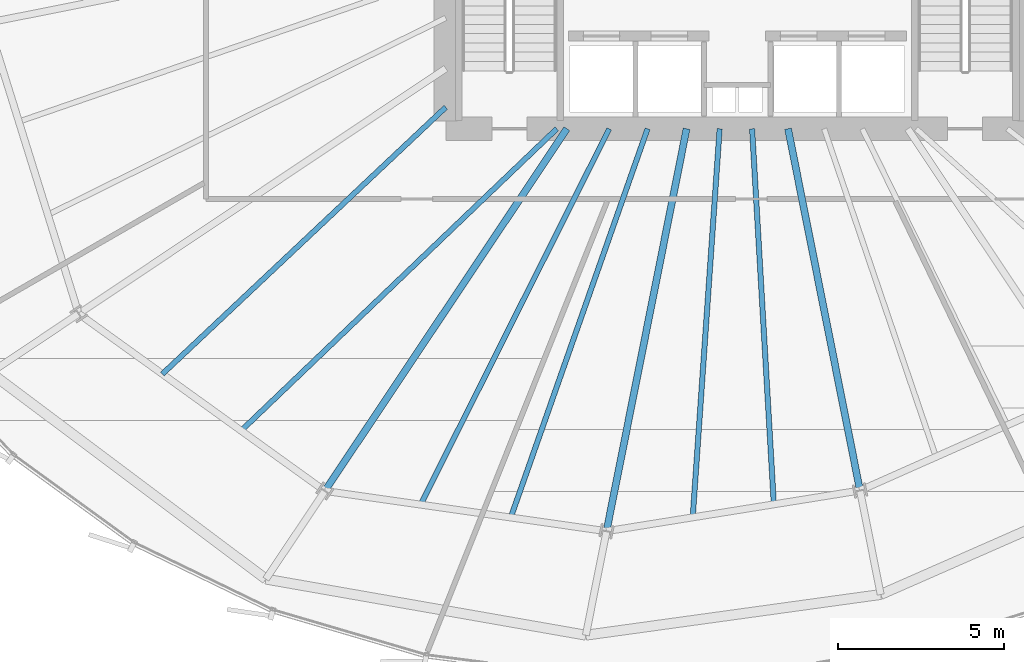
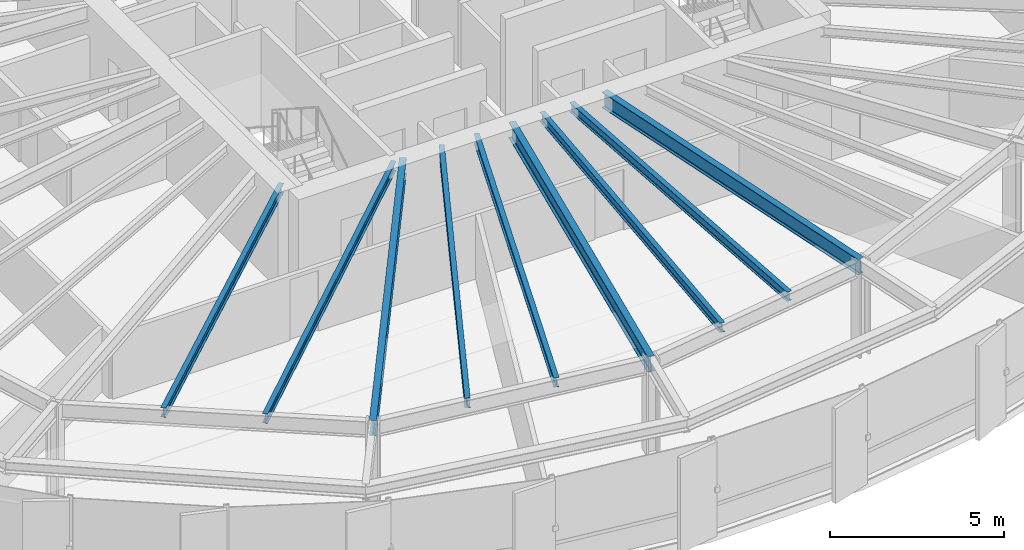
# One storey, part 7 of 35: 9 beams.
"""IFC4 building model written with IfcOpenShell, lengths in metres."""

import ifcopenshell
import ifcopenshell.guid

model = None  # the IFC model being written
_history = None  # IfcOwnerHistory: only IFC2X3 demands one
_inside = {}  # id of a spatial element -> (the spatial element, [elements in it])
_under = {}  # id of a project, library or spatial element -> (it, [spatial elements below it])
_declared = {}  # id of a project -> (the project, [libraries it declares])
_typed = {}  # id of a type object -> (the type object, [elements of that type])
_made_of = {}  # id of a material, layer set ... -> (it, [elements and type objects made of it])


def new_model(schema):
    """Start an empty IFC model of exactly this schema.

    Asked for "IFC4X3", IfcOpenShell would pick the latest addendum, in which some entities
    have other attributes; the version numbers below select the first issue.
    IFC2X3 requires an IfcOwnerHistory on every rooted entity: one is made here for all.
    """
    global model, _history
    if schema == "IFC4X3":
        model = ifcopenshell.file(schema_version=(4, 3, 0, 0))
    else:
        model = ifcopenshell.file(schema=schema)
    _inside.clear()
    _under.clear()
    _declared.clear()
    _typed.clear()
    _made_of.clear()
    _history = None
    if model.schema == "IFC2X3":
        org = make("IfcOrganization", Name="unknown")
        user = make(
            "IfcPersonAndOrganization",
            ThePerson=make("IfcPerson", FamilyName="unknown"),
            TheOrganization=org,
        )
        app = make(
            "IfcApplication",
            ApplicationDeveloper=org,
            Version="unknown",
            ApplicationFullName="unknown",
            ApplicationIdentifier="unknown",
        )
        _history = make(
            "IfcOwnerHistory",
            OwningUser=user,
            OwningApplication=app,
            ChangeAction="ADDED",
            CreationDate=0,
        )
    return model


def make(cls, **values):
    """One entity of the class cls with the attributes given. An attribute that is None is left unset."""
    return model.create_entity(
        cls, **{name: value for name, value in values.items() if value is not None}
    )


def rooted(cls, **values):
    """An entity with a GlobalId (a new one), such as an element, a storey or a relation."""
    return make(cls, GlobalId=ifcopenshell.guid.new(), OwnerHistory=_history, **values)


def si_unit(unit_type, name, prefix=None):
    """IfcSIUnit, for example si_unit("LENGTHUNIT", "METRE", prefix="MILLI")."""
    return make("IfcSIUnit", UnitType=unit_type, Prefix=prefix, Name=name)


def assignment(units):
    """IfcUnitAssignment: the units of a project."""
    return None if units is None else make("IfcUnitAssignment", Units=units)


def point(xyz):
    """IfcCartesianPoint."""
    return None if xyz is None else make("IfcCartesianPoint", Coordinates=xyz)


def direction(xyz):
    """IfcDirection."""
    return None if xyz is None else make("IfcDirection", DirectionRatios=xyz)


def frame(location, z_axis=None, x_axis=None):
    """IfcAxis2Placement3D, a coordinate frame: its origin and axes. An axis left out is left unset."""
    return make(
        "IfcAxis2Placement3D",
        Location=point(location),
        Axis=direction(z_axis),
        RefDirection=direction(x_axis),
    )


def frame_2d(location, x_axis=None):
    """IfcAxis2Placement2D, a coordinate frame in the plane: its origin and x axis."""
    return make(
        "IfcAxis2Placement2D", Location=point(location), RefDirection=direction(x_axis)
    )


def origin():
    """The frame at (0, 0, 0) with its axes left unset."""
    return frame((0.0, 0.0, 0.0))


def origin_2d():
    """The frame at (0, 0) in the plane with its x axis left unset."""
    return frame_2d((0.0, 0.0))


def place(relative_to, where):
    """IfcLocalPlacement: puts the frame where relative to a parent placement (None: the world)."""
    return make(
        "IfcLocalPlacement", PlacementRelTo=relative_to, RelativePlacement=where
    )


def context(
    kind, dimensions, precision=None, world=None, true_north=None, identifier=None
):
    """IfcGeometricRepresentationContext, for example the 3D "Model" context."""
    return make(
        "IfcGeometricRepresentationContext",
        ContextIdentifier=identifier,
        ContextType=kind,
        CoordinateSpaceDimension=dimensions,
        Precision=precision,
        WorldCoordinateSystem=world,
        TrueNorth=true_north,
    )


def subcontext(parent, identifier, kind, view, scale=None):
    """IfcGeometricRepresentationSubContext, for example "Body" below "Model"."""
    return make(
        "IfcGeometricRepresentationSubContext",
        ContextIdentifier=identifier,
        ContextType=kind,
        ParentContext=parent,
        TargetScale=scale,
        TargetView=view,
    )


def project(units=None, contexts=None):
    """IfcProject with its units and contexts."""
    return rooted(
        "IfcProject",
        Name="project",
        RepresentationContexts=contexts,
        UnitsInContext=assignment(units),
    )


def spatial(cls, under=None, at=None, **own):
    """A site, building, storey or space (cls), placed at a placement, below another one or the project."""
    s = rooted(cls, ObjectPlacement=at, **own)
    if under is not None:
        _under.setdefault(under.id(), (under, []))[1].append(s)
    return s


def profile(cls, at=None, kind="AREA", **sizes):
    """A parametric profile (cls). Its sizes go by their IFC names, for example OverallWidth=200.0."""
    return make(cls, ProfileType=kind, Position=at, **sizes)


def i_section(**sizes):
    """IfcIShapeProfileDef."""
    return profile("IfcIShapeProfileDef", **sizes)


def extrude(swept, where, along, depth):
    """IfcExtrudedAreaSolid: the profile swept, set in the frame where, extruded along a direction by depth."""
    return make(
        "IfcExtrudedAreaSolid",
        SweptArea=swept,
        Position=where,
        ExtrudedDirection=direction(along),
        Depth=depth,
    )


def shape(context_of_items, identifier, shape_type, items):
    """IfcShapeRepresentation: the items that make up one representation, for example the "Body"."""
    return make(
        "IfcShapeRepresentation",
        ContextOfItems=context_of_items,
        RepresentationIdentifier=identifier,
        RepresentationType=shape_type,
        Items=items,
    )


def source(mapping_origin, context_of_items, identifier, shape_type, items):
    """IfcRepresentationMap: a shape defined once, which mapped items show again and again."""
    return make(
        "IfcRepresentationMap",
        MappingOrigin=mapping_origin,
        MappedRepresentation=shape(context_of_items, identifier, shape_type, items),
    )


def transform(
    local_origin,
    x_axis=None,
    y_axis=None,
    z_axis=None,
    scale=None,
    scale2=None,
    scale3=None,
    uniform=True,
):
    """IfcCartesianTransformationOperator3D, or its non-uniform kind. x_axis, y_axis, z_axis: its Axis1, 2, 3."""
    if uniform:
        return make(
            "IfcCartesianTransformationOperator3D",
            Axis1=direction(x_axis),
            Axis2=direction(y_axis),
            LocalOrigin=point(local_origin),
            Scale=scale,
            Axis3=direction(z_axis),
        )
    return make(
        "IfcCartesianTransformationOperator3DnonUniform",
        Axis1=direction(x_axis),
        Axis2=direction(y_axis),
        LocalOrigin=point(local_origin),
        Scale=scale,
        Axis3=direction(z_axis),
        Scale2=scale2,
        Scale3=scale3,
    )


def mapped(mapping_source, mapping_target):
    """IfcMappedItem: shows the shape of a source again, moved by a transform."""
    return make(
        "IfcMappedItem", MappingSource=mapping_source, MappingTarget=mapping_target
    )


def material(Name=None, Category=None):
    """IfcMaterial."""
    return make("IfcMaterial", Name=Name, Category=Category)


def material_profile(
    of_material, cross_section, Name=None, Category=None, Priority=None
):
    """IfcMaterialProfile: a cross section and its material."""
    return make(
        "IfcMaterialProfile",
        Name=Name,
        Material=of_material,
        Profile=cross_section,
        Priority=Priority,
        Category=Category,
    )


def profile_set(profiles, Name=None, composite=None):
    """IfcMaterialProfileSet."""
    return make(
        "IfcMaterialProfileSet",
        Name=Name,
        MaterialProfiles=profiles,
        CompositeProfile=composite,
    )


def made_of(thing, what):
    """Note that an element or type object is made of a material, layer set ...; save() writes the relation."""
    if what is not None:
        _made_of.setdefault(what.id(), (what, []))[1].append(thing)
    return thing


def type_object(cls, material=None, **own):
    """A type object (cls), such as IfcWallType, which elements share."""
    return made_of(rooted(cls, **own), material)


def element(
    cls,
    number,
    at=None,
    inside=None,
    cuts=None,
    type_object=None,
    material=None,
    context=None,
    identifier="Body",
    shape_type=None,
    held_by="IfcProductDefinitionShape",
    body=None,
    shapes=None,
    **own,
):
    """One element of the class cls, such as IfcWall. Its Tag is "e" and its number.

    at: its placement. inside: the storey or other place that contains it. cuts: it is an
    opening in that element (IfcRelVoidsElement). A single representation is given by context,
    identifier, shape_type and body (its items); several are given by shapes. held_by: the class
    of the entity that holds the representations. save() writes the other relations.
    """
    e = rooted(cls, Tag="e%d" % number, ObjectPlacement=at, **own)
    if body is not None:
        shapes = [shape(context, identifier, shape_type, body)]
    if shapes is not None:
        e.Representation = make(held_by, Representations=shapes)
    if inside is not None:
        _inside.setdefault(inside.id(), (inside, []))[1].append(e)
    if cuts is not None:
        rooted(
            "IfcRelVoidsElement", RelatingBuildingElement=cuts, RelatedOpeningElement=e
        )
    if type_object is not None:
        _typed.setdefault(type_object.id(), (type_object, []))[1].append(e)
    return made_of(e, material)


def aggregate(whole, parts):
    """IfcRelAggregates: a whole, such as a stair, and the parts it consists of."""
    return rooted("IfcRelAggregates", RelatingObject=whole, RelatedObjects=parts)


def save(model, path):
    """Write the relations noted so far, then the file.

    IfcRelAggregates (storeys below a building ...), IfcRelContainedInSpatialStructure (elements
    in a storey), IfcRelDefinesByType, IfcRelAssociatesMaterial and IfcRelDeclares: one each for
    every whole, place, type object, material and project.
    """
    for whole, parts in _under.values():
        aggregate(whole, parts)
    for where, things in _inside.values():
        rooted(
            "IfcRelContainedInSpatialStructure",
            RelatedElements=things,
            RelatingStructure=where,
        )
    for kind, things in _typed.values():
        rooted("IfcRelDefinesByType", RelatedObjects=things, RelatingType=kind)
    for what, things in _made_of.values():
        rooted("IfcRelAssociatesMaterial", RelatedObjects=things, RelatingMaterial=what)
    for by, libraries in _declared.values():
        rooted("IfcRelDeclares", RelatingContext=by, RelatedDefinitions=libraries)
    model.write(path)


model = new_model("IFC4")

# Units and contexts
model_context = context("Model", 3, precision=1e-05, world=origin(), true_north=direction((0.0, 1.0)))
body_context = subcontext(model_context, "Body", "Model", "MODEL_VIEW")
ifc_project = project(units=[si_unit("LENGTHUNIT", "METRE"), si_unit("AREAUNIT", "SQUARE_METRE"), si_unit("VOLUMEUNIT", "CUBIC_METRE"), si_unit("PLANEANGLEUNIT", "RADIAN"), si_unit("MASSUNIT", "GRAM", prefix="KILO"), si_unit("THERMODYNAMICTEMPERATUREUNIT", "KELVIN")], contexts=[model_context])

# Site, building, storey
site_placement = place(None, origin())
site = spatial("IfcSite", under=ifc_project, at=site_placement, CompositionType="ELEMENT")
building_placement = place(site_placement, origin())
building = spatial("IfcBuilding", under=site, at=building_placement, Name="Kethvar Cultural Tower", CompositionType="ELEMENT")
storey_placement = place(building_placement, frame((0.0, 0.0, 89.199951171875)))
storey = spatial("IfcBuildingStorey", under=building, at=storey_placement, Name="L21", CompositionType="ELEMENT", Elevation=89.199951171875)

# Beams
ifc_material = material(Name="Steel S355J2", Category="steel")
ifc_material_profile_1 = material_profile(ifc_material, i_section(OverallWidth=0.2099609375, OverallDepth=0.550048828125, WebThickness=0.010986328125, FlangeThickness=0.01708984375, FilletRadius=0.02392578125, at=origin_2d()), Name="Steel S355J2 — IPE550")
ifc_profile_set_1 = profile_set([ifc_material_profile_1], Name="Steel S355J2 — IPE550")
beam_type_1 = type_object("IfcBeamType", Name="BM-IPE550", PredefinedType="BEAM", material=ifc_profile_set_1)
shared_shape_1 = source(origin(), body_context, "Body", "SweptSolid", [
    extrude(i_section(OverallWidth=0.2099609375, OverallDepth=0.550048828125, WebThickness=0.010986328125, FlangeThickness=0.01708984375, FilletRadius=0.02392578125, at=origin_2d()), origin(), (0.0, 0.0, 1.0), 13.147216796875),
])
beam_1_placement = place(storey_placement, frame((41.655029296875, 20.10009765625, 3.072998046875), z_axis=(-0.555565525446, -0.831472757783, 0.0), x_axis=(0.831472757783, -0.555565525446, 0.0)))
element("IfcBeam", 1, at=beam_1_placement, inside=storey, type_object=beam_type_1, Name="L21 Primary Radial Beam RB-11", PredefinedType="BEAM", context=body_context, shape_type="MappedRepresentation", body=[
    mapped(shared_shape_1, transform((0.0, 0.0, 0.0), scale=1.0)),
])
shared_shape_2 = source(origin(), body_context, "Body", "SweptSolid", [
    extrude(i_section(OverallWidth=0.2099609375, OverallDepth=0.550048828125, WebThickness=0.010986328125, FlangeThickness=0.01708984375, FilletRadius=0.02392578125, at=origin_2d()), origin(), (0.0, 0.0, 1.0), 12.384521484375),
])
beam_2_placement = place(storey_placement, frame((45.268310546875, 20.10009765625, 3.072998046875), z_axis=(-0.195084858678, -0.980786367113, 0.0), x_axis=(0.980786367113, -0.195084858678, 0.0)))
element("IfcBeam", 2, at=beam_2_placement, inside=storey, type_object=beam_type_1, Name="L21 Primary Radial Beam RB-12", PredefinedType="BEAM", context=body_context, shape_type="MappedRepresentation", body=[
    mapped(shared_shape_2, transform((0.0, 0.0, 0.0), scale=1.0)),
])
shared_shape_3 = source(origin(), body_context, "Body", "SweptSolid", [
    extrude(i_section(OverallWidth=0.2099609375, OverallDepth=0.550048828125, WebThickness=0.010986328125, FlangeThickness=0.01708984375, FilletRadius=0.02392578125, at=origin_2d()), origin(), (0.0, 0.0, 1.0), 11.131591796875),
])
beam_3_placement = place(storey_placement, frame((48.33154296875, 20.10009765625, 3.072998046875), z_axis=(0.195107998266, -0.980781764213, 0.0), x_axis=(0.980781764213, 0.195107998266, 0.0)))
element("IfcBeam", 3, at=beam_3_placement, inside=storey, type_object=beam_type_1, Name="L21 Primary Radial Beam RB-13", PredefinedType="BEAM", context=body_context, shape_type="MappedRepresentation", body=[
    mapped(shared_shape_3, transform((0.0, 0.0, 0.0), scale=1.0)),
])
ifc_material_profile_2 = material_profile(ifc_material, i_section(OverallWidth=0.159912109375, OverallDepth=0.330078125, WebThickness=0.007568359375, FlangeThickness=0.011474609375, FilletRadius=0.01806640625, at=origin_2d()), Name="Steel S355J2 — IPE330")
ifc_profile_set_2 = profile_set([ifc_material_profile_2], Name="Steel S355J2 — IPE330")
beam_type_2 = type_object("IfcBeamType", Name="BM-J330", PredefinedType="JOIST", material=ifc_profile_set_2)
shared_shape_4 = source(origin(), body_context, "Body", "SweptSolid", [
    extrude(i_section(OverallWidth=0.159912109375, OverallDepth=0.330078125, WebThickness=0.007568359375, FlangeThickness=0.011474609375, FilletRadius=0.01806640625, at=origin_2d()), origin(), (0.0, 0.0, 1.0), 11.74658203125),
])
beam_4_placement = place(storey_placement, frame((38.0, 20.75, 3.18310546875), z_axis=(-0.728129818661, -0.685439251266, 0.0), x_axis=(0.685439251266, -0.728129818661, 0.0)))
element("IfcBeam", 4, at=beam_4_placement, inside=storey, type_object=beam_type_2, Name="L21 Composite Floor Joist J-10A", PredefinedType="JOIST", context=body_context, shape_type="MappedRepresentation", body=[
    mapped(shared_shape_4, transform((0.0, 0.0, 0.0), scale=1.0)),
])
shared_shape_5 = source(origin(), body_context, "Body", "SweptSolid", [
    extrude(i_section(OverallWidth=0.159912109375, OverallDepth=0.330078125, WebThickness=0.007568359375, FlangeThickness=0.011474609375, FilletRadius=0.01806640625, at=origin_2d()), origin(), (0.0, 0.0, 1.0), 13.1826171875),
])
beam_5_placement = place(storey_placement, frame((41.35009765625, 20.10009765625, 3.18310546875), z_axis=(-0.722573880181, -0.691293705801, 0.0), x_axis=(0.691293705801, -0.722573880181, 0.0)))
element("IfcBeam", 5, at=beam_5_placement, inside=storey, type_object=beam_type_2, Name="L21 Composite Floor Joist J-10B", PredefinedType="JOIST", context=body_context, shape_type="MappedRepresentation", body=[
    mapped(shared_shape_5, transform((0.0, 0.0, 0.0), scale=1.0)),
])
shared_shape_6 = source(origin(), body_context, "Body", "SweptSolid", [
    extrude(i_section(OverallWidth=0.159912109375, OverallDepth=0.330078125, WebThickness=0.007568359375, FlangeThickness=0.011474609375, FilletRadius=0.01806640625, at=origin_2d()), origin(), (0.0, 0.0, 1.0), 12.693603515625),
])
beam_6_placement = place(storey_placement, frame((42.935302734375, 20.10009765625, 3.18310546875), z_axis=(-0.448582495233, -0.893741430712, 0.0), x_axis=(0.893741430712, -0.448582495233, 0.0)))
element("IfcBeam", 6, at=beam_6_placement, inside=storey, type_object=beam_type_2, Name="L21 Composite Floor Joist J-11A", PredefinedType="JOIST", context=body_context, shape_type="MappedRepresentation", body=[
    mapped(shared_shape_6, transform((0.0, 0.0, 0.0), scale=1.0)),
])
shared_shape_7 = source(origin(), body_context, "Body", "SweptSolid", [
    extrude(i_section(OverallWidth=0.159912109375, OverallDepth=0.330078125, WebThickness=0.007568359375, FlangeThickness=0.011474609375, FilletRadius=0.01806640625, at=origin_2d()), origin(), (0.0, 0.0, 1.0), 12.4384765625),
])
beam_7_placement = place(storey_placement, frame((44.090576171875, 20.10009765625, 3.18310546875), z_axis=(-0.331923676994, -0.943306245421, 0.0), x_axis=(0.943306245421, -0.331923676994, 0.0)))
element("IfcBeam", 7, at=beam_7_placement, inside=storey, type_object=beam_type_2, Name="L21 Composite Floor Joist J-11B", PredefinedType="JOIST", context=body_context, shape_type="MappedRepresentation", body=[
    mapped(shared_shape_7, transform((0.0, 0.0, 0.0), scale=1.0)),
])
shared_shape_8 = source(origin(), body_context, "Body", "SweptSolid", [
    extrude(i_section(OverallWidth=0.159912109375, OverallDepth=0.330078125, WebThickness=0.007568359375, FlangeThickness=0.011474609375, FilletRadius=0.01806640625, at=origin_2d()), origin(), (0.0, 0.0, 1.0), 11.7568359375),
])
beam_8_placement = place(storey_placement, frame((46.266357421875, 20.10009765625, 3.18310546875), z_axis=(-0.069129203877, -0.997607715072, 0.0), x_axis=(0.997607715072, -0.069129203877, 0.0)))
element("IfcBeam", 8, at=beam_8_placement, inside=storey, type_object=beam_type_2, Name="L21 Composite Floor Joist J-12A", PredefinedType="JOIST", context=body_context, shape_type="MappedRepresentation", body=[
    mapped(shared_shape_8, transform((0.0, 0.0, 0.0), scale=1.0)),
])
shared_shape_9 = source(origin(), body_context, "Body", "SweptSolid", [
    extrude(i_section(OverallWidth=0.159912109375, OverallDepth=0.330078125, WebThickness=0.007568359375, FlangeThickness=0.011474609375, FilletRadius=0.01806640625, at=origin_2d()), origin(), (0.0, 0.0, 1.0), 11.354736328125),
])
beam_9_placement = place(storey_placement, frame((47.245849609375, 20.10009765625, 3.18310546875), z_axis=(0.057795585741, -0.998328438075, 0.0), x_axis=(0.998328438075, 0.057795585741, 0.0)))
element("IfcBeam", 9, at=beam_9_placement, inside=storey, type_object=beam_type_2, Name="L21 Composite Floor Joist J-12B", PredefinedType="JOIST", context=body_context, shape_type="MappedRepresentation", body=[
    mapped(shared_shape_9, transform((0.0, 0.0, 0.0), scale=1.0)),
])

save(model, "model.ifc")
